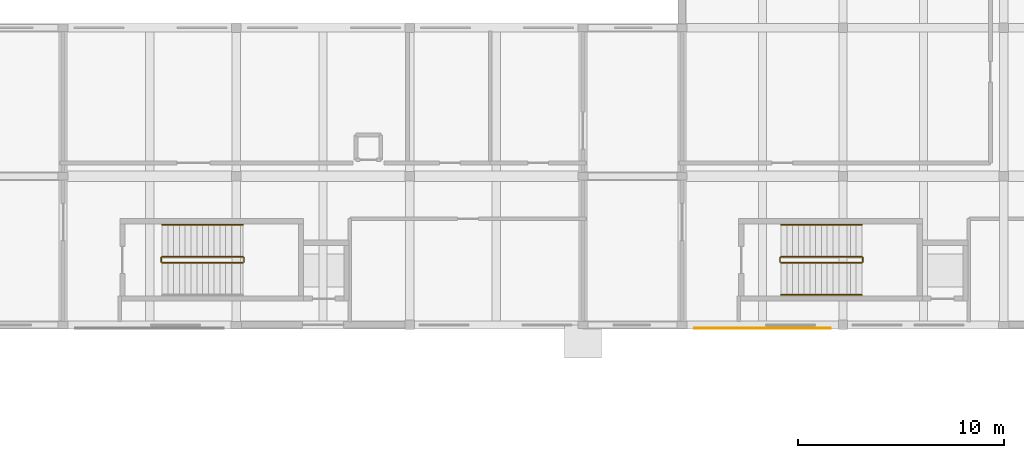
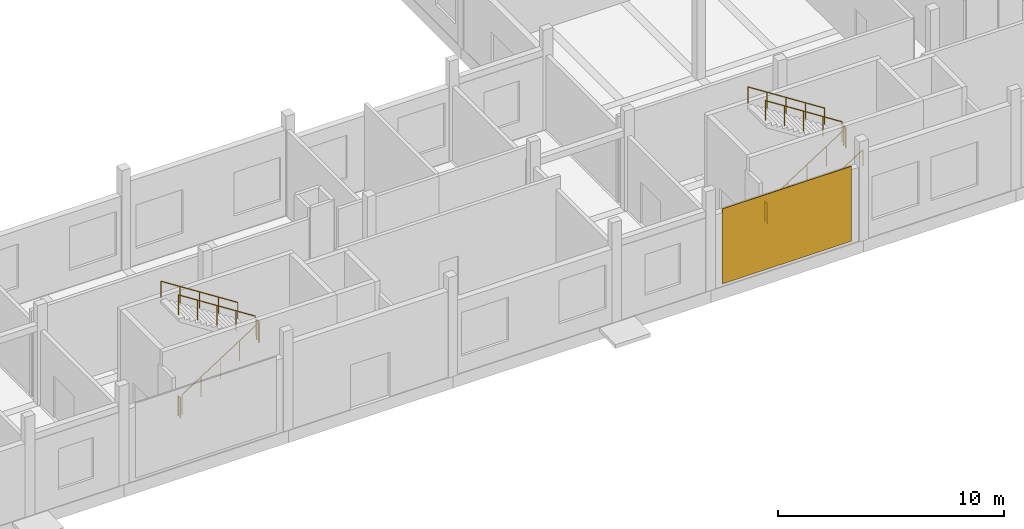
# One storey, part 36 of 41: 11 railings, 1 covering.
"""IFC4 building model written with IfcOpenShell, lengths in metres."""

from ifc_helpers import new_model, si_unit, direction, frame, origin, origin_2d, place, context, subcontext, project, spatial, polyline, circle, outline, extrude, material, layer, layer_set, type_object, element, save


model = new_model("IFC4")

# Units and contexts
model_context = context("Model", 3, precision=1e-05, world=origin(), true_north=direction((0.0, 1.0)))
body_context = subcontext(model_context, "Body", "Model", "MODEL_VIEW")
ifc_project = project(units=[si_unit("LENGTHUNIT", "METRE"), si_unit("AREAUNIT", "SQUARE_METRE"), si_unit("VOLUMEUNIT", "CUBIC_METRE"), si_unit("PLANEANGLEUNIT", "RADIAN"), si_unit("MASSUNIT", "GRAM", prefix="KILO")], contexts=[model_context])

# Site, building, storey
site_placement = place(None, origin())
site = spatial("IfcSite", under=ifc_project, at=site_placement, CompositionType="ELEMENT")
building_placement = place(site_placement, origin())
building = spatial("IfcBuilding", under=site, at=building_placement, Name="Kahlenmark Community Centre", CompositionType="ELEMENT")
storey_placement = place(building_placement, origin())
storey = spatial("IfcBuildingStorey", under=building, at=storey_placement, Name="L00", CompositionType="ELEMENT", Elevation=0.0)

# Covering
ifc_material_1 = material(Name="Honed Danube limestone plinth cladding", Category="masonry")
ifc_layer = layer(ifc_material_1, 0.0400390625)
ifc_layer_set = layer_set([ifc_layer], Name="Honed Danube limestone plinth cladding")
covering_type = type_object("IfcCoveringType", Name="CVT-CLAD-LIME", PredefinedType="CLADDING", material=ifc_layer_set)
covering_placement = place(storey_placement, frame((0.0, 0.0, 0.14990234375)))
element("IfcCovering", 1, at=covering_placement, inside=storey, type_object=covering_type, Name="Danube limestone plinth cladding 05", PredefinedType="CLADDING", context=body_context, shape_type="SweptSolid", body=[
    extrude(outline(polyline([(122.199951171875, 8.6201171875), (128.800048828125, 8.6201171875), (128.800048828125, 8.659912109375), (122.199951171875, 8.659912109375), (122.199951171875, 8.6201171875)])), origin(), (0.0, 0.0, 1.0), 4.050048828125),
])

# Railings
ifc_material_2 = material(Name="Brushed stainless steel 1.4301 handrail", Category="steel")
railing_type_1 = type_object("IfcRailingType", Name="RLT-HR-900", PredefinedType="HANDRAIL", material=ifc_material_2)
railing_1_placement = place(storey_placement, frame((100.320068359375, 13.64990234375, 2.8798828125)))
element("IfcRailing", 2, at=railing_1_placement, inside=storey, type_object=railing_type_1, Name="L00 ST-07 stair handrail 2", PredefinedType="HANDRAIL", context=body_context, shape_type="SweptSolid", body=[
    extrude(circle(Radius=0.02392578125, at=origin_2d()), frame((0.0, 0.0, 0.8759765625), z_axis=(-0.841186985886, 0.0, 0.540744352514), x_axis=(0.0, -1.0, 0.0)), (0.0, 0.0, 1.0), 4.660400390625),
    extrude(circle(Radius=0.02099609375, at=origin_2d()), origin(), (0.0, 0.0, 1.0), 0.851806640625),
    extrude(circle(Radius=0.02099609375, at=origin_2d()), frame((-0.97998046875, 0.0, 0.6298828125)), (0.0, 0.0, 1.0), 0.851806640625),
    extrude(circle(Radius=0.02099609375, at=origin_2d()), frame((-1.9599609375, 0.0, 1.260009765625)), (0.0, 0.0, 1.0), 0.851806640625),
    extrude(circle(Radius=0.02099609375, at=origin_2d()), frame((-2.940185546875, 0.0, 1.89013671875)), (0.0, 0.0, 1.0), 0.851806640625),
    extrude(circle(Radius=0.02099609375, at=origin_2d()), frame((-3.920166015625, 0.0, 2.52001953125)), (0.0, 0.0, 1.0), 0.851806640625),
])
railing_2_placement = place(storey_placement, frame((126.39990234375, 10.25, 0.179931640625)))
element("IfcRailing", 3, at=railing_2_placement, inside=storey, type_object=railing_type_1, Name="L00 ST-08 stair handrail 1", PredefinedType="HANDRAIL", context=body_context, shape_type="SweptSolid", body=[
    extrude(circle(Radius=0.02392578125, at=origin_2d()), frame((0.0, 0.0, 0.8759765625), z_axis=(0.841186985886, 0.0, 0.540744352514), x_axis=(0.0, 1.0, 0.0)), (0.0, 0.0, 1.0), 4.660400390625),
    extrude(circle(Radius=0.02099609375, at=origin_2d()), origin(), (0.0, 0.0, 1.0), 0.851806640625),
    extrude(circle(Radius=0.02099609375, at=origin_2d()), frame((0.97998046875, 0.0, 0.6298828125)), (0.0, 0.0, 1.0), 0.851806640625),
    extrude(circle(Radius=0.02099609375, at=origin_2d()), frame((1.9599609375, 0.0, 1.260009765625)), (0.0, 0.0, 1.0), 0.851806640625),
    extrude(circle(Radius=0.02099609375, at=origin_2d()), frame((2.940185546875, 0.0, 1.89013671875)), (0.0, 0.0, 1.0), 0.851806640625),
    extrude(circle(Radius=0.02099609375, at=origin_2d()), frame((3.920166015625, 0.0, 2.52001953125)), (0.0, 0.0, 1.0), 0.851806640625),
])
railing_3_placement = place(storey_placement, frame((130.320068359375, 13.64990234375, 2.8798828125)))
element("IfcRailing", 4, at=railing_3_placement, inside=storey, type_object=railing_type_1, Name="L00 ST-08 stair handrail 2", PredefinedType="HANDRAIL", context=body_context, shape_type="SweptSolid", body=[
    extrude(circle(Radius=0.02392578125, at=origin_2d()), frame((0.0, 0.0, 0.8759765625), z_axis=(-0.841186985886, 0.0, 0.540744352514), x_axis=(0.0, -1.0, 0.0)), (0.0, 0.0, 1.0), 4.660400390625),
    extrude(circle(Radius=0.02099609375, at=origin_2d()), origin(), (0.0, 0.0, 1.0), 0.851806640625),
    extrude(circle(Radius=0.02099609375, at=origin_2d()), frame((-0.97998046875, 0.0, 0.6298828125)), (0.0, 0.0, 1.0), 0.851806640625),
    extrude(circle(Radius=0.02099609375, at=origin_2d()), frame((-1.9599609375, 0.0, 1.260009765625)), (0.0, 0.0, 1.0), 0.851806640625),
    extrude(circle(Radius=0.02099609375, at=origin_2d()), frame((-2.940185546875, 0.0, 1.89013671875)), (0.0, 0.0, 1.0), 0.851806640625),
    extrude(circle(Radius=0.02099609375, at=origin_2d()), frame((-3.920166015625, 0.0, 2.52001953125)), (0.0, 0.0, 1.0), 0.851806640625),
])
ifc_material_3 = material(Name="Powder-coated steel stair well guard", Category="steel")
railing_type_2 = type_object("IfcRailingType", Name="RLT-SG-1120", PredefinedType="GUARDRAIL", material=ifc_material_3)
railing_4_placement = place(storey_placement, frame((96.39990234375, 11.800048828125, 0.179931640625)))
element("IfcRailing", 5, at=railing_4_placement, inside=storey, type_object=railing_type_2, Name="L00 ST-07 stair guard 1", PredefinedType="GUARDRAIL", context=body_context, shape_type="SweptSolid", body=[
    extrude(circle(Radius=0.02392578125, at=origin_2d()), frame((0.0, 0.0, 1.076171875), z_axis=(0.841186985886, 0.0, 0.540744352514), x_axis=(0.0, 1.0, 0.0)), (0.0, 0.0, 1.0), 4.660400390625),
    extrude(circle(Radius=0.02099609375, at=origin_2d()), origin(), (0.0, 0.0, 1.0), 1.052001953125),
    extrude(circle(Radius=0.02099609375, at=origin_2d()), frame((0.97998046875, 0.0, 0.6298828125)), (0.0, 0.0, 1.0), 1.052001953125),
    extrude(circle(Radius=0.02099609375, at=origin_2d()), frame((1.9599609375, 0.0, 1.260009765625)), (0.0, 0.0, 1.0), 1.052001953125),
    extrude(circle(Radius=0.02099609375, at=origin_2d()), frame((2.940185546875, 0.0, 1.89013671875)), (0.0, 0.0, 1.0), 1.052001953125),
    extrude(circle(Radius=0.02099609375, at=origin_2d()), frame((3.920166015625, 0.0, 2.52001953125)), (0.0, 0.0, 1.0), 1.052001953125),
])
railing_5_placement = place(storey_placement, frame((100.3701171875, 11.85009765625, 2.699951171875)))
element("IfcRailing", 6, at=railing_5_placement, inside=storey, type_object=railing_type_2, Name="L00 ST-07 stair guard 2", PredefinedType="GUARDRAIL", context=body_context, shape_type="SweptSolid", body=[
    extrude(circle(Radius=0.02392578125, at=origin_2d()), frame((0.0, 0.0, 1.076171875), z_axis=(0.0, 1.0, 0.0), x_axis=(-1.0, 0.0, 0.0)), (0.0, 0.0, 1.0), 0.199951171875),
    extrude(circle(Radius=0.02099609375, at=origin_2d()), origin(), (0.0, 0.0, 1.0), 1.052001953125),
    extrude(circle(Radius=0.02099609375, at=origin_2d()), frame((0.0, 0.199951171875, 0.0)), (0.0, 0.0, 1.0), 1.052001953125),
])
railing_6_placement = place(storey_placement, frame((100.320068359375, 12.10009765625, 2.8798828125)))
element("IfcRailing", 7, at=railing_6_placement, inside=storey, type_object=railing_type_2, Name="L00 ST-07 stair guard 3", PredefinedType="GUARDRAIL", context=body_context, shape_type="SweptSolid", body=[
    extrude(circle(Radius=0.02392578125, at=origin_2d()), frame((0.0, 0.0, 1.076171875), z_axis=(-0.841186985886, 0.0, 0.540744352514), x_axis=(0.0, -1.0, 0.0)), (0.0, 0.0, 1.0), 4.660400390625),
    extrude(circle(Radius=0.02099609375, at=origin_2d()), origin(), (0.0, 0.0, 1.0), 1.052001953125),
    extrude(circle(Radius=0.02099609375, at=origin_2d()), frame((-0.97998046875, 0.0, 0.6298828125)), (0.0, 0.0, 1.0), 1.052001953125),
    extrude(circle(Radius=0.02099609375, at=origin_2d()), frame((-1.9599609375, 0.0, 1.260009765625)), (0.0, 0.0, 1.0), 1.052001953125),
    extrude(circle(Radius=0.02099609375, at=origin_2d()), frame((-2.940185546875, 0.0, 1.89013671875)), (0.0, 0.0, 1.0), 1.052001953125),
    extrude(circle(Radius=0.02099609375, at=origin_2d()), frame((-3.920166015625, 0.0, 2.52001953125)), (0.0, 0.0, 1.0), 1.052001953125),
])
railing_7_placement = place(storey_placement, frame((96.35009765625, 11.85009765625, 0.0)))
element("IfcRailing", 8, at=railing_7_placement, inside=storey, type_object=railing_type_2, Name="L00 ST-07 stair guard 4", PredefinedType="GUARDRAIL", context=body_context, shape_type="SweptSolid", body=[
    extrude(circle(Radius=0.02392578125, at=origin_2d()), frame((0.0, 0.0, 1.076171875), z_axis=(0.0, 1.0, 0.0), x_axis=(-1.0, 0.0, 0.0)), (0.0, 0.0, 1.0), 0.199951171875),
    extrude(circle(Radius=0.02099609375, at=origin_2d()), origin(), (0.0, 0.0, 1.0), 1.052001953125),
    extrude(circle(Radius=0.02099609375, at=origin_2d()), frame((0.0, 0.199951171875, 0.0)), (0.0, 0.0, 1.0), 1.052001953125),
])
railing_8_placement = place(storey_placement, frame((126.39990234375, 11.800048828125, 0.179931640625)))
element("IfcRailing", 9, at=railing_8_placement, inside=storey, type_object=railing_type_2, Name="L00 ST-08 stair guard 1", PredefinedType="GUARDRAIL", context=body_context, shape_type="SweptSolid", body=[
    extrude(circle(Radius=0.02392578125, at=origin_2d()), frame((0.0, 0.0, 1.076171875), z_axis=(0.841186985886, 0.0, 0.540744352514), x_axis=(0.0, 1.0, 0.0)), (0.0, 0.0, 1.0), 4.660400390625),
    extrude(circle(Radius=0.02099609375, at=origin_2d()), origin(), (0.0, 0.0, 1.0), 1.052001953125),
    extrude(circle(Radius=0.02099609375, at=origin_2d()), frame((0.97998046875, 0.0, 0.6298828125)), (0.0, 0.0, 1.0), 1.052001953125),
    extrude(circle(Radius=0.02099609375, at=origin_2d()), frame((1.9599609375, 0.0, 1.260009765625)), (0.0, 0.0, 1.0), 1.052001953125),
    extrude(circle(Radius=0.02099609375, at=origin_2d()), frame((2.940185546875, 0.0, 1.89013671875)), (0.0, 0.0, 1.0), 1.052001953125),
    extrude(circle(Radius=0.02099609375, at=origin_2d()), frame((3.920166015625, 0.0, 2.52001953125)), (0.0, 0.0, 1.0), 1.052001953125),
])
railing_9_placement = place(storey_placement, frame((130.3701171875, 11.85009765625, 2.699951171875)))
element("IfcRailing", 10, at=railing_9_placement, inside=storey, type_object=railing_type_2, Name="L00 ST-08 stair guard 2", PredefinedType="GUARDRAIL", context=body_context, shape_type="SweptSolid", body=[
    extrude(circle(Radius=0.02392578125, at=origin_2d()), frame((0.0, 0.0, 1.076171875), z_axis=(0.0, 1.0, 0.0), x_axis=(-1.0, 0.0, 0.0)), (0.0, 0.0, 1.0), 0.199951171875),
    extrude(circle(Radius=0.02099609375, at=origin_2d()), origin(), (0.0, 0.0, 1.0), 1.052001953125),
    extrude(circle(Radius=0.02099609375, at=origin_2d()), frame((0.0, 0.199951171875, 0.0)), (0.0, 0.0, 1.0), 1.052001953125),
])
railing_10_placement = place(storey_placement, frame((130.320068359375, 12.10009765625, 2.8798828125)))
element("IfcRailing", 11, at=railing_10_placement, inside=storey, type_object=railing_type_2, Name="L00 ST-08 stair guard 3", PredefinedType="GUARDRAIL", context=body_context, shape_type="SweptSolid", body=[
    extrude(circle(Radius=0.02392578125, at=origin_2d()), frame((0.0, 0.0, 1.076171875), z_axis=(-0.841186985886, 0.0, 0.540744352514), x_axis=(0.0, -1.0, 0.0)), (0.0, 0.0, 1.0), 4.660400390625),
    extrude(circle(Radius=0.02099609375, at=origin_2d()), origin(), (0.0, 0.0, 1.0), 1.052001953125),
    extrude(circle(Radius=0.02099609375, at=origin_2d()), frame((-0.97998046875, 0.0, 0.6298828125)), (0.0, 0.0, 1.0), 1.052001953125),
    extrude(circle(Radius=0.02099609375, at=origin_2d()), frame((-1.9599609375, 0.0, 1.260009765625)), (0.0, 0.0, 1.0), 1.052001953125),
    extrude(circle(Radius=0.02099609375, at=origin_2d()), frame((-2.940185546875, 0.0, 1.89013671875)), (0.0, 0.0, 1.0), 1.052001953125),
    extrude(circle(Radius=0.02099609375, at=origin_2d()), frame((-3.920166015625, 0.0, 2.52001953125)), (0.0, 0.0, 1.0), 1.052001953125),
])
railing_11_placement = place(storey_placement, frame((126.35009765625, 11.85009765625, 0.0)))
element("IfcRailing", 12, at=railing_11_placement, inside=storey, type_object=railing_type_2, Name="L00 ST-08 stair guard 4", PredefinedType="GUARDRAIL", context=body_context, shape_type="SweptSolid", body=[
    extrude(circle(Radius=0.02392578125, at=origin_2d()), frame((0.0, 0.0, 1.076171875), z_axis=(0.0, 1.0, 0.0), x_axis=(-1.0, 0.0, 0.0)), (0.0, 0.0, 1.0), 0.199951171875),
    extrude(circle(Radius=0.02099609375, at=origin_2d()), origin(), (0.0, 0.0, 1.0), 1.052001953125),
    extrude(circle(Radius=0.02099609375, at=origin_2d()), frame((0.0, 0.199951171875, 0.0)), (0.0, 0.0, 1.0), 1.052001953125),
])

save(model, "model.ifc")
